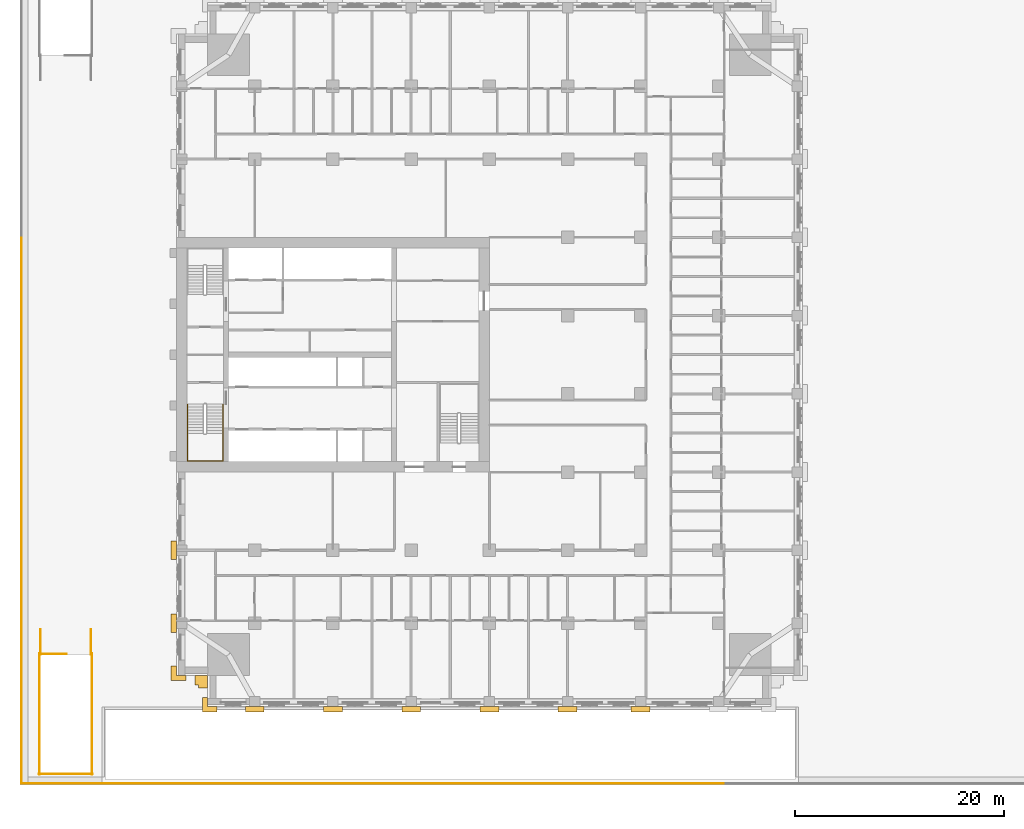
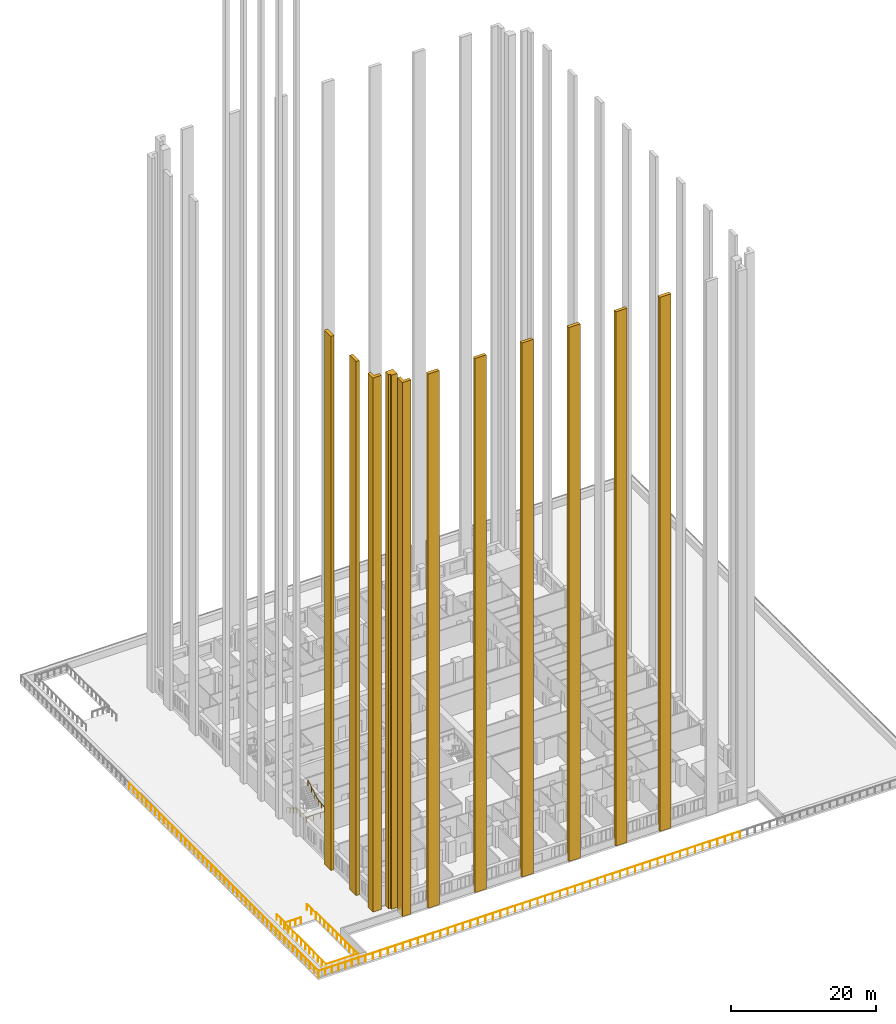
# One storey, part 24 of 27: 11 coverings, 11 railings.
"""IFC4 building model written with IfcOpenShell, lengths in metres."""

from ifc_helpers import new_model, si_unit, direction, frame, origin, origin_2d, place, context, subcontext, project, spatial, polyline, circle, outline, extrude, material, layer, layer_set, type_object, element, save


model = new_model("IFC4")

# Units and contexts
model_context = context("Model", 3, precision=1e-05, world=origin(), true_north=direction((0.0, 1.0)))
body_context = subcontext(model_context, "Body", "Model", "MODEL_VIEW")
ifc_project = project(units=[si_unit("LENGTHUNIT", "METRE"), si_unit("AREAUNIT", "SQUARE_METRE"), si_unit("VOLUMEUNIT", "CUBIC_METRE"), si_unit("PLANEANGLEUNIT", "RADIAN"), si_unit("MASSUNIT", "GRAM", prefix="KILO")], contexts=[model_context])

# Site, building, storey
site_placement = place(None, origin())
site = spatial("IfcSite", under=ifc_project, at=site_placement, CompositionType="ELEMENT")
building_placement = place(site_placement, origin())
building = spatial("IfcBuilding", under=site, at=building_placement, Name="Tamorin Gate", CompositionType="ELEMENT")
storey_placement = place(building_placement, frame((0.0, 0.0, 34.0)))
storey = spatial("IfcBuildingStorey", under=building, at=storey_placement, Name="L06", CompositionType="ELEMENT", Elevation=34.0)

# Coverings
ifc_material_1 = material(Name="Precast concrete C40/50", Category="concrete")
ifc_layer_1 = layer(ifc_material_1, 0.5)
ifc_layer_set_1 = layer_set([ifc_layer_1], Name="Corner pier cladding 500")
covering_type_1 = type_object("IfcCoveringType", Name="Corner pier cladding 500", PredefinedType="CLADDING", material=ifc_layer_set_1)
covering_1_placement = place(storey_placement, origin())
element("IfcCovering", 1, at=covering_1_placement, inside=storey, type_object=covering_type_1, Name="Corner pier", PredefinedType="CLADDING", context=body_context, shape_type="SweptSolid", body=[
    extrude(outline(polyline([(32.5, 37.0), (32.5, 38.39990234375), (33.0, 38.39990234375), (33.0, 37.5), (33.89990234375, 37.5), (33.89990234375, 37.0), (32.5, 37.0)])), origin(), (0.0, 0.0, 1.0), 90.199951171875),
])
covering_2_placement = place(storey_placement, origin())
element("IfcCovering", 2, at=covering_2_placement, inside=storey, type_object=covering_type_1, Name="Corner pier", PredefinedType="CLADDING", context=body_context, shape_type="SweptSolid", body=[
    extrude(outline(polyline([(29.5, 40.0), (29.5, 41.39990234375), (30.0, 41.39990234375), (30.0, 40.5), (30.89990234375, 40.5), (30.89990234375, 40.0), (29.5, 40.0)])), origin(), (0.0, 0.0, 1.0), 90.199951171875),
])
ifc_layer_2 = layer(ifc_material_1, 0.89990234375)
ifc_layer_set_2 = layer_set([ifc_layer_2], Name="Corner pier cladding 900")
covering_type_2 = type_object("IfcCoveringType", Name="Corner pier cladding 900", PredefinedType="CLADDING", material=ifc_layer_set_2)
covering_3_placement = place(storey_placement, origin())
element("IfcCovering", 3, at=covering_3_placement, inside=storey, type_object=covering_type_2, Name="Corner pier", PredefinedType="CLADDING", context=body_context, shape_type="SweptSolid", body=[
    extrude(outline(polyline([(31.800048828125, 39.60009765625), (31.800048828125, 40.5), (33.0, 40.5), (33.0, 39.300048828125), (32.10009765625, 39.300048828125), (32.10009765625, 39.60009765625), (31.800048828125, 39.60009765625)])), origin(), (0.0, 0.0, 1.0), 90.199951171875),
])

# Railings
ifc_material_2 = material(Name="Steel", Category="steel")
railing_type_1 = type_object("IfcRailingType", Name="Podium guard 1100", PredefinedType="GUARDRAIL", material=ifc_material_2)
railing_1_placement = place(storey_placement, frame((16.925048828125, 42.550048828125, 0.0)))
element("IfcRailing", 4, at=railing_1_placement, inside=storey, type_object=railing_type_1, Name="L06 PS1 top well guard 1", PredefinedType="GUARDRAIL", context=body_context, shape_type="SweptSolid", body=[
    extrude(circle(Radius=0.02392578125, at=origin_2d()), frame((0.0, 0.0, 1.076171875), z_axis=(1.0, 0.0, 0.0), x_axis=(0.0, 1.0, 0.0)), (0.0, 0.0, 1.0), 2.550048828125),
    extrude(circle(Radius=0.02099609375, at=origin_2d()), origin(), (0.0, 0.0, 1.0), 1.052001953125),
    extrude(circle(Radius=0.02099609375, at=origin_2d()), frame((0.85009765625, 0.0, 0.0)), (0.0, 0.0, 1.0), 1.052001953125),
    extrude(circle(Radius=0.02099609375, at=origin_2d()), frame((1.699951171875, 0.0, 0.0)), (0.0, 0.0, 1.0), 1.052001953125),
    extrude(circle(Radius=0.02099609375, at=origin_2d()), frame((2.550048828125, 0.0, 0.0)), (0.0, 0.0, 1.0), 1.052001953125),
])
for number, where, name in (
    (5, (16.875, 42.60009765625, 0.0), "L06 PS1 top well guard 2"),
    (6, (21.925048828125, 42.60009765625, 0.0), "L06 PS1 top well guard 3"),
):
    element("IfcRailing", number, at=place(storey_placement, frame(where)), inside=storey, type_object=railing_type_1, Name=name, PredefinedType="GUARDRAIL", context=body_context, shape_type="SweptSolid", body=[
        extrude(circle(Radius=0.02392578125, at=origin_2d()), frame((0.0, 0.0, 1.076171875), z_axis=(0.0, -1.0, 0.0), x_axis=(1.0, 0.0, 0.0)), (0.0, 0.0, 1.0), 11.60009765625),
        extrude(circle(Radius=0.02099609375, at=origin_2d()), origin(), (0.0, 0.0, 1.0), 1.052001953125),
        extrude(circle(Radius=0.02099609375, at=origin_2d()), frame((0.0, -1.159912109375, 0.0)), (0.0, 0.0, 1.0), 1.052001953125),
        extrude(circle(Radius=0.02099609375, at=origin_2d()), frame((0.0, -2.320068359375, 0.0)), (0.0, 0.0, 1.0), 1.052001953125),
        extrude(circle(Radius=0.02099609375, at=origin_2d()), frame((0.0, -3.47998046875, 0.0)), (0.0, 0.0, 1.0), 1.052001953125),
        extrude(circle(Radius=0.02099609375, at=origin_2d()), frame((0.0, -4.64013671875, 0.0)), (0.0, 0.0, 1.0), 1.052001953125),
        extrude(circle(Radius=0.02099609375, at=origin_2d()), frame((0.0, -5.800048828125, 0.0)), (0.0, 0.0, 1.0), 1.052001953125),
        extrude(circle(Radius=0.02099609375, at=origin_2d()), frame((0.0, -6.9599609375, 0.0)), (0.0, 0.0, 1.0), 1.052001953125),
        extrude(circle(Radius=0.02099609375, at=origin_2d()), frame((0.0, -8.1201171875, 0.0)), (0.0, 0.0, 1.0), 1.052001953125),
        extrude(circle(Radius=0.02099609375, at=origin_2d()), frame((0.0, -9.280029296875, 0.0)), (0.0, 0.0, 1.0), 1.052001953125),
        extrude(circle(Radius=0.02099609375, at=origin_2d()), frame((0.0, -10.440185546875, 0.0)), (0.0, 0.0, 1.0), 1.052001953125),
        extrude(circle(Radius=0.02099609375, at=origin_2d()), frame((0.0, -11.60009765625, 0.0)), (0.0, 0.0, 1.0), 1.052001953125),
    ])
railing_2_placement = place(storey_placement, frame((16.824951171875, 31.050048828125, 0.0)))
element("IfcRailing", 7, at=railing_2_placement, inside=storey, type_object=railing_type_1, Name="L06 PS1 top well guard 4", PredefinedType="GUARDRAIL", context=body_context, shape_type="SweptSolid", body=[
    extrude(circle(Radius=0.02392578125, at=origin_2d()), frame((0.0, 0.0, 1.076171875), z_axis=(1.0, 0.0, 0.0), x_axis=(0.0, 1.0, 0.0)), (0.0, 0.0, 1.0), 5.150146484375),
    extrude(circle(Radius=0.02099609375, at=origin_2d()), origin(), (0.0, 0.0, 1.0), 1.052001953125),
    extrude(circle(Radius=0.02099609375, at=origin_2d()), frame((1.030029296875, 0.0, 0.0)), (0.0, 0.0, 1.0), 1.052001953125),
    extrude(circle(Radius=0.02099609375, at=origin_2d()), frame((2.06005859375, 0.0, 0.0)), (0.0, 0.0, 1.0), 1.052001953125),
    extrude(circle(Radius=0.02099609375, at=origin_2d()), frame((3.090087890625, 0.0, 0.0)), (0.0, 0.0, 1.0), 1.052001953125),
    extrude(circle(Radius=0.02099609375, at=origin_2d()), frame((4.1201171875, 0.0, 0.0)), (0.0, 0.0, 1.0), 1.052001953125),
    extrude(circle(Radius=0.02099609375, at=origin_2d()), frame((5.150146484375, 0.0, 0.0)), (0.0, 0.0, 1.0), 1.052001953125),
])
for number, where, name in (
    (8, (16.97509765625, 44.89990234375, 0.0), "L06 PS1 top well guard 5"),
    (9, (21.824951171875, 44.89990234375, 0.0), "L06 PS1 top well guard 6"),
):
    element("IfcRailing", number, at=place(storey_placement, frame(where)), inside=storey, type_object=railing_type_1, Name=name, PredefinedType="GUARDRAIL", context=body_context, shape_type="SweptSolid", body=[
        extrude(circle(Radius=0.02392578125, at=origin_2d()), frame((0.0, 0.0, 1.076171875), z_axis=(0.0, -1.0, 0.0), x_axis=(1.0, 0.0, 0.0)), (0.0, 0.0, 1.0), 2.39990234375),
        extrude(circle(Radius=0.02099609375, at=origin_2d()), origin(), (0.0, 0.0, 1.0), 1.052001953125),
        extrude(circle(Radius=0.02099609375, at=origin_2d()), frame((0.0, -1.199951171875, 0.0)), (0.0, 0.0, 1.0), 1.052001953125),
        extrude(circle(Radius=0.02099609375, at=origin_2d()), frame((0.0, -2.39990234375, 0.0)), (0.0, 0.0, 1.0), 1.052001953125),
    ])

# Coverings
ifc_layer_3 = layer(ifc_material_1, 0.5)
ifc_layer_set_3 = layer_set([ifc_layer_3], Name="Precast concrete C40/50")
covering_type_3 = type_object("IfcCoveringType", Name="Precast pier 1800x500", PredefinedType="CLADDING", material=ifc_layer_set_3)
covering_4_placement = place(storey_placement, origin())
element("IfcCovering", 10, at=covering_4_placement, inside=storey, type_object=covering_type_3, Name="Precast pier", PredefinedType="CLADDING", context=body_context, shape_type="SweptSolid", body=[
    extrude(outline(polyline([(30.0, 46.39990234375), (30.0, 44.60009765625), (29.5, 44.60009765625), (29.5, 46.39990234375), (30.0, 46.39990234375)])), origin(), (0.0, 0.0, 1.0), 90.199951171875),
])
covering_5_placement = place(storey_placement, origin())
element("IfcCovering", 11, at=covering_5_placement, inside=storey, type_object=covering_type_3, Name="Precast pier", PredefinedType="CLADDING", context=body_context, shape_type="SweptSolid", body=[
    extrude(outline(polyline([(30.0, 53.39990234375), (30.0, 51.60009765625), (29.5, 51.60009765625), (29.5, 53.39990234375), (30.0, 53.39990234375)])), origin(), (0.0, 0.0, 1.0), 90.199951171875),
])
covering_6_placement = place(storey_placement, origin())
element("IfcCovering", 12, at=covering_6_placement, inside=storey, type_object=covering_type_3, Name="Precast pier", PredefinedType="CLADDING", context=body_context, shape_type="SweptSolid", body=[
    extrude(outline(polyline([(36.60009765625, 37.5), (38.39990234375, 37.5), (38.39990234375, 37.0), (36.60009765625, 37.0), (36.60009765625, 37.5)])), origin(), (0.0, 0.0, 1.0), 90.199951171875),
])
covering_7_placement = place(storey_placement, origin())
element("IfcCovering", 13, at=covering_7_placement, inside=storey, type_object=covering_type_3, Name="Precast pier", PredefinedType="CLADDING", context=body_context, shape_type="SweptSolid", body=[
    extrude(outline(polyline([(44.10009765625, 37.5), (45.89990234375, 37.5), (45.89990234375, 37.0), (44.10009765625, 37.0), (44.10009765625, 37.5)])), origin(), (0.0, 0.0, 1.0), 90.199951171875),
])
covering_8_placement = place(storey_placement, origin())
element("IfcCovering", 14, at=covering_8_placement, inside=storey, type_object=covering_type_3, Name="Precast pier", PredefinedType="CLADDING", context=body_context, shape_type="SweptSolid", body=[
    extrude(outline(polyline([(51.60009765625, 37.5), (53.39990234375, 37.5), (53.39990234375, 37.0), (51.60009765625, 37.0), (51.60009765625, 37.5)])), origin(), (0.0, 0.0, 1.0), 90.199951171875),
])
covering_9_placement = place(storey_placement, origin())
element("IfcCovering", 15, at=covering_9_placement, inside=storey, type_object=covering_type_3, Name="Precast pier", PredefinedType="CLADDING", context=body_context, shape_type="SweptSolid", body=[
    extrude(outline(polyline([(59.10009765625, 37.5), (60.89990234375, 37.5), (60.89990234375, 37.0), (59.10009765625, 37.0), (59.10009765625, 37.5)])), origin(), (0.0, 0.0, 1.0), 90.199951171875),
])
covering_10_placement = place(storey_placement, origin())
element("IfcCovering", 16, at=covering_10_placement, inside=storey, type_object=covering_type_3, Name="Precast pier", PredefinedType="CLADDING", context=body_context, shape_type="SweptSolid", body=[
    extrude(outline(polyline([(66.60009765625, 37.5), (68.39990234375, 37.5), (68.39990234375, 37.0), (66.60009765625, 37.0), (66.60009765625, 37.5)])), origin(), (0.0, 0.0, 1.0), 90.199951171875),
])
covering_11_placement = place(storey_placement, origin())
element("IfcCovering", 17, at=covering_11_placement, inside=storey, type_object=covering_type_3, Name="Precast pier", PredefinedType="CLADDING", context=body_context, shape_type="SweptSolid", body=[
    extrude(outline(polyline([(73.60009765625, 37.5), (75.39990234375, 37.5), (75.39990234375, 37.0), (73.60009765625, 37.0), (73.60009765625, 37.5)])), origin(), (0.0, 0.0, 1.0), 90.199951171875),
])

# Railings
ifc_material_3 = material(Name="Painted steel handrail", Category="steel")
railing_type_2 = type_object("IfcRailingType", Name="Stair handrail 900", PredefinedType="HANDRAIL", material=ifc_material_3)
railing_3_placement = place(storey_placement, frame((31.050048828125, 66.5, 0.16357421875)))
element("IfcRailing", 18, at=railing_3_placement, inside=storey, type_object=railing_type_2, Name="L06 ST1 stair handrail 1", PredefinedType="HANDRAIL", context=body_context, shape_type="SweptSolid", body=[
    extrude(circle(Radius=0.02392578125, at=origin_2d()), frame((0.0, 0.0, 0.8759765625), z_axis=(0.0, -0.863360870873, 0.504586966384), x_axis=(1.0, 0.0, 0.0)), (0.0, 0.0, 1.0), 3.2431640625),
    extrude(circle(Radius=0.02392578125, at=origin_2d()), frame((0.0, -2.800048828125, 2.51220703125), z_axis=(0.0, -1.0, 0.0), x_axis=(1.0, 0.0, 0.0)), (0.0, 0.0, 1.0), 2.64990234375),
    extrude(circle(Radius=0.02392578125, at=origin_2d()), frame((0.0, -5.449951171875, 2.51220703125), z_axis=(1.0, 0.0, 0.0), x_axis=(0.0, 1.0, 0.0)), (0.0, 0.0, 1.0), 3.39990234375),
    extrude(circle(Radius=0.02392578125, at=origin_2d()), frame((3.39990234375, -5.449951171875, 2.51220703125), z_axis=(0.0, 0.998100230056, 0.061611125312), x_axis=(-1.0, 0.0, 0.0)), (0.0, 0.0, 1.0), 2.655029296875),
    extrude(circle(Radius=0.02392578125, at=origin_2d()), frame((3.39990234375, -2.800048828125, 2.67578125), z_axis=(0.0, 0.863360870873, 0.504586966384), x_axis=(-1.0, 0.0, 0.0)), (0.0, 0.0, 1.0), 3.2431640625),
    extrude(circle(Radius=0.02099609375, at=origin_2d()), origin(), (0.0, 0.0, 1.0), 0.851806640625),
    extrude(circle(Radius=0.02099609375, at=origin_2d()), frame((0.0, -0.933349609375, 0.54541015625)), (0.0, 0.0, 1.0), 0.851806640625),
    extrude(circle(Radius=0.02099609375, at=origin_2d()), frame((0.0, -1.86669921875, 1.091064453125)), (0.0, 0.0, 1.0), 0.851806640625),
    extrude(circle(Radius=0.02099609375, at=origin_2d()), frame((0.0, -2.800048828125, 1.636474609375)), (0.0, 0.0, 1.0), 0.851806640625),
    extrude(circle(Radius=0.02099609375, at=origin_2d()), frame((0.0, -3.683349609375, 1.636474609375)), (0.0, 0.0, 1.0), 0.851806640625),
    extrude(circle(Radius=0.02099609375, at=origin_2d()), frame((0.0, -4.566650390625, 1.636474609375)), (0.0, 0.0, 1.0), 0.851806640625),
    extrude(circle(Radius=0.02099609375, at=origin_2d()), frame((0.0, -5.449951171875, 1.636474609375)), (0.0, 0.0, 1.0), 0.851806640625),
    extrude(circle(Radius=0.02099609375, at=origin_2d()), frame((1.13330078125, -5.449951171875, 1.636474609375)), (0.0, 0.0, 1.0), 0.851806640625),
    extrude(circle(Radius=0.02099609375, at=origin_2d()), frame((2.2666015625, -5.449951171875, 1.636474609375)), (0.0, 0.0, 1.0), 0.851806640625),
    extrude(circle(Radius=0.02099609375, at=origin_2d()), frame((3.39990234375, -5.449951171875, 1.636474609375)), (0.0, 0.0, 1.0), 0.851806640625),
    extrude(circle(Radius=0.02099609375, at=origin_2d()), frame((3.39990234375, -4.566650390625, 1.69091796875)), (0.0, 0.0, 1.0), 0.851806640625),
    extrude(circle(Radius=0.02099609375, at=origin_2d()), frame((3.39990234375, -3.683349609375, 1.74560546875)), (0.0, 0.0, 1.0), 0.851806640625),
    extrude(circle(Radius=0.02099609375, at=origin_2d()), frame((3.39990234375, -2.800048828125, 1.800048828125)), (0.0, 0.0, 1.0), 0.851806640625),
    extrude(circle(Radius=0.02099609375, at=origin_2d()), frame((3.39990234375, -1.86669921875, 2.345458984375)), (0.0, 0.0, 1.0), 0.851806640625),
    extrude(circle(Radius=0.02099609375, at=origin_2d()), frame((3.39990234375, -0.933349609375, 2.89111328125)), (0.0, 0.0, 1.0), 0.851806640625),
    extrude(circle(Radius=0.02099609375, at=origin_2d()), frame((3.39990234375, 0.0, 3.4365234375)), (0.0, 0.0, 1.0), 0.851806640625),
])
ifc_material_4 = material(Name="Stainless steel", Category="steel")
railing_type_3 = type_object("IfcRailingType", Name="Terrace guard 1150", PredefinedType="GUARDRAIL", material=ifc_material_4)
railing_4_placement = place(storey_placement, frame((82.4599609375, 30.1201171875, 0.0)))
element("IfcRailing", 19, at=railing_4_placement, inside=storey, type_object=railing_type_3, Name="Terrace guard", PredefinedType="GUARDRAIL", context=body_context, shape_type="SweptSolid", body=[
    extrude(circle(Radius=0.02392578125, at=origin_2d()), frame((0.0, 0.0, 1.1259765625), z_axis=(-1.0, 0.0, 0.0), x_axis=(0.0, -1.0, 0.0)), (0.0, 0.0, 1.0), 29.919921875),
    extrude(circle(Radius=0.02099609375, at=origin_2d()), origin(), (0.0, 0.0, 1.0), 1.101806640625),
    extrude(circle(Radius=0.02099609375, at=origin_2d()), frame((-1.19677734375, 0.0, 0.0)), (0.0, 0.0, 1.0), 1.101806640625),
    extrude(circle(Radius=0.02099609375, at=origin_2d()), frame((-2.3935546875, 0.0, 0.0)), (0.0, 0.0, 1.0), 1.101806640625),
    extrude(circle(Radius=0.02099609375, at=origin_2d()), frame((-3.59033203125, 0.0, 0.0)), (0.0, 0.0, 1.0), 1.101806640625),
    extrude(circle(Radius=0.02099609375, at=origin_2d()), frame((-4.787109375, 0.0, 0.0)), (0.0, 0.0, 1.0), 1.101806640625),
    extrude(circle(Radius=0.02099609375, at=origin_2d()), frame((-5.98388671875, 0.0, 0.0)), (0.0, 0.0, 1.0), 1.101806640625),
    extrude(circle(Radius=0.02099609375, at=origin_2d()), frame((-7.1806640625, 0.0, 0.0)), (0.0, 0.0, 1.0), 1.101806640625),
    extrude(circle(Radius=0.02099609375, at=origin_2d()), frame((-8.377685546875, 0.0, 0.0)), (0.0, 0.0, 1.0), 1.101806640625),
    extrude(circle(Radius=0.02099609375, at=origin_2d()), frame((-9.574462890625, 0.0, 0.0)), (0.0, 0.0, 1.0), 1.101806640625),
    extrude(circle(Radius=0.02099609375, at=origin_2d()), frame((-10.771240234375, 0.0, 0.0)), (0.0, 0.0, 1.0), 1.101806640625),
    extrude(circle(Radius=0.02099609375, at=origin_2d()), frame((-11.968017578125, 0.0, 0.0)), (0.0, 0.0, 1.0), 1.101806640625),
    extrude(circle(Radius=0.02099609375, at=origin_2d()), frame((-13.164794921875, 0.0, 0.0)), (0.0, 0.0, 1.0), 1.101806640625),
    extrude(circle(Radius=0.02099609375, at=origin_2d()), frame((-14.361572265625, 0.0, 0.0)), (0.0, 0.0, 1.0), 1.101806640625),
    extrude(circle(Radius=0.02099609375, at=origin_2d()), frame((-15.558349609375, 0.0, 0.0)), (0.0, 0.0, 1.0), 1.101806640625),
    extrude(circle(Radius=0.02099609375, at=origin_2d()), frame((-16.755126953125, 0.0, 0.0)), (0.0, 0.0, 1.0), 1.101806640625),
    extrude(circle(Radius=0.02099609375, at=origin_2d()), frame((-17.951904296875, 0.0, 0.0)), (0.0, 0.0, 1.0), 1.101806640625),
    extrude(circle(Radius=0.02099609375, at=origin_2d()), frame((-19.148681640625, 0.0, 0.0)), (0.0, 0.0, 1.0), 1.101806640625),
    extrude(circle(Radius=0.02099609375, at=origin_2d()), frame((-20.345458984375, 0.0, 0.0)), (0.0, 0.0, 1.0), 1.101806640625),
    extrude(circle(Radius=0.02099609375, at=origin_2d()), frame((-21.542236328125, 0.0, 0.0)), (0.0, 0.0, 1.0), 1.101806640625),
    extrude(circle(Radius=0.02099609375, at=origin_2d()), frame((-22.7392578125, 0.0, 0.0)), (0.0, 0.0, 1.0), 1.101806640625),
    extrude(circle(Radius=0.02099609375, at=origin_2d()), frame((-23.93603515625, 0.0, 0.0)), (0.0, 0.0, 1.0), 1.101806640625),
    extrude(circle(Radius=0.02099609375, at=origin_2d()), frame((-25.1328125, 0.0, 0.0)), (0.0, 0.0, 1.0), 1.101806640625),
    extrude(circle(Radius=0.02099609375, at=origin_2d()), frame((-26.32958984375, 0.0, 0.0)), (0.0, 0.0, 1.0), 1.101806640625),
    extrude(circle(Radius=0.02099609375, at=origin_2d()), frame((-27.5263671875, 0.0, 0.0)), (0.0, 0.0, 1.0), 1.101806640625),
    extrude(circle(Radius=0.02099609375, at=origin_2d()), frame((-28.72314453125, 0.0, 0.0)), (0.0, 0.0, 1.0), 1.101806640625),
    extrude(circle(Radius=0.02099609375, at=origin_2d()), frame((-29.919921875, 0.0, 0.0)), (0.0, 0.0, 1.0), 1.101806640625),
])
railing_5_placement = place(storey_placement, frame((52.5400390625, 30.1201171875, 0.0)))
element("IfcRailing", 20, at=railing_5_placement, inside=storey, type_object=railing_type_3, Name="Terrace guard", PredefinedType="GUARDRAIL", context=body_context, shape_type="SweptSolid", body=[
    extrude(circle(Radius=0.02392578125, at=origin_2d()), frame((0.0, 0.0, 1.1259765625), z_axis=(-1.0, 0.0, 0.0), x_axis=(0.0, -1.0, 0.0)), (0.0, 0.0, 1.0), 29.919921875),
    extrude(circle(Radius=0.02099609375, at=origin_2d()), origin(), (0.0, 0.0, 1.0), 1.101806640625),
    extrude(circle(Radius=0.02099609375, at=origin_2d()), frame((-1.19677734375, 0.0, 0.0)), (0.0, 0.0, 1.0), 1.101806640625),
    extrude(circle(Radius=0.02099609375, at=origin_2d()), frame((-2.3935546875, 0.0, 0.0)), (0.0, 0.0, 1.0), 1.101806640625),
    extrude(circle(Radius=0.02099609375, at=origin_2d()), frame((-3.59033203125, 0.0, 0.0)), (0.0, 0.0, 1.0), 1.101806640625),
    extrude(circle(Radius=0.02099609375, at=origin_2d()), frame((-4.787109375, 0.0, 0.0)), (0.0, 0.0, 1.0), 1.101806640625),
    extrude(circle(Radius=0.02099609375, at=origin_2d()), frame((-5.98388671875, 0.0, 0.0)), (0.0, 0.0, 1.0), 1.101806640625),
    extrude(circle(Radius=0.02099609375, at=origin_2d()), frame((-7.1806640625, 0.0, 0.0)), (0.0, 0.0, 1.0), 1.101806640625),
    extrude(circle(Radius=0.02099609375, at=origin_2d()), frame((-8.377685546875, 0.0, 0.0)), (0.0, 0.0, 1.0), 1.101806640625),
    extrude(circle(Radius=0.02099609375, at=origin_2d()), frame((-9.574462890625, 0.0, 0.0)), (0.0, 0.0, 1.0), 1.101806640625),
    extrude(circle(Radius=0.02099609375, at=origin_2d()), frame((-10.771240234375, 0.0, 0.0)), (0.0, 0.0, 1.0), 1.101806640625),
    extrude(circle(Radius=0.02099609375, at=origin_2d()), frame((-11.968017578125, 0.0, 0.0)), (0.0, 0.0, 1.0), 1.101806640625),
    extrude(circle(Radius=0.02099609375, at=origin_2d()), frame((-13.164794921875, 0.0, 0.0)), (0.0, 0.0, 1.0), 1.101806640625),
    extrude(circle(Radius=0.02099609375, at=origin_2d()), frame((-14.361572265625, 0.0, 0.0)), (0.0, 0.0, 1.0), 1.101806640625),
    extrude(circle(Radius=0.02099609375, at=origin_2d()), frame((-15.558349609375, 0.0, 0.0)), (0.0, 0.0, 1.0), 1.101806640625),
    extrude(circle(Radius=0.02099609375, at=origin_2d()), frame((-16.755126953125, 0.0, 0.0)), (0.0, 0.0, 1.0), 1.101806640625),
    extrude(circle(Radius=0.02099609375, at=origin_2d()), frame((-17.951904296875, 0.0, 0.0)), (0.0, 0.0, 1.0), 1.101806640625),
    extrude(circle(Radius=0.02099609375, at=origin_2d()), frame((-19.148681640625, 0.0, 0.0)), (0.0, 0.0, 1.0), 1.101806640625),
    extrude(circle(Radius=0.02099609375, at=origin_2d()), frame((-20.345458984375, 0.0, 0.0)), (0.0, 0.0, 1.0), 1.101806640625),
    extrude(circle(Radius=0.02099609375, at=origin_2d()), frame((-21.542236328125, 0.0, 0.0)), (0.0, 0.0, 1.0), 1.101806640625),
    extrude(circle(Radius=0.02099609375, at=origin_2d()), frame((-22.7392578125, 0.0, 0.0)), (0.0, 0.0, 1.0), 1.101806640625),
    extrude(circle(Radius=0.02099609375, at=origin_2d()), frame((-23.93603515625, 0.0, 0.0)), (0.0, 0.0, 1.0), 1.101806640625),
    extrude(circle(Radius=0.02099609375, at=origin_2d()), frame((-25.1328125, 0.0, 0.0)), (0.0, 0.0, 1.0), 1.101806640625),
    extrude(circle(Radius=0.02099609375, at=origin_2d()), frame((-26.32958984375, 0.0, 0.0)), (0.0, 0.0, 1.0), 1.101806640625),
    extrude(circle(Radius=0.02099609375, at=origin_2d()), frame((-27.5263671875, 0.0, 0.0)), (0.0, 0.0, 1.0), 1.101806640625),
    extrude(circle(Radius=0.02099609375, at=origin_2d()), frame((-28.72314453125, 0.0, 0.0)), (0.0, 0.0, 1.0), 1.101806640625),
    extrude(circle(Radius=0.02099609375, at=origin_2d()), frame((-29.919921875, 0.0, 0.0)), (0.0, 0.0, 1.0), 1.101806640625),
])
railing_6_placement = place(storey_placement, frame((22.6201171875, 30.1201171875, 0.0)))
element("IfcRailing", 21, at=railing_6_placement, inside=storey, type_object=railing_type_3, Name="Terrace guard", PredefinedType="GUARDRAIL", context=body_context, shape_type="SweptSolid", body=[
    extrude(circle(Radius=0.02392578125, at=origin_2d()), frame((0.0, 0.0, 1.1259765625), z_axis=(-1.0, 0.0, 0.0), x_axis=(0.0, -1.0, 0.0)), (0.0, 0.0, 1.0), 7.5),
    extrude(circle(Radius=0.02392578125, at=origin_2d()), frame((-7.5, 0.0, 1.1259765625), z_axis=(0.0, 1.0, 0.0), x_axis=(-1.0, 0.0, 0.0)), (0.0, 0.0, 1.0), 22.419921875),
    extrude(circle(Radius=0.02099609375, at=origin_2d()), origin(), (0.0, 0.0, 1.0), 1.101806640625),
    extrude(circle(Radius=0.02099609375, at=origin_2d()), frame((-1.071533203125, 0.0, 0.0)), (0.0, 0.0, 1.0), 1.101806640625),
    extrude(circle(Radius=0.02099609375, at=origin_2d()), frame((-2.142822265625, 0.0, 0.0)), (0.0, 0.0, 1.0), 1.101806640625),
    extrude(circle(Radius=0.02099609375, at=origin_2d()), frame((-3.21435546875, 0.0, 0.0)), (0.0, 0.0, 1.0), 1.101806640625),
    extrude(circle(Radius=0.02099609375, at=origin_2d()), frame((-4.28564453125, 0.0, 0.0)), (0.0, 0.0, 1.0), 1.101806640625),
    extrude(circle(Radius=0.02099609375, at=origin_2d()), frame((-5.357177734375, 0.0, 0.0)), (0.0, 0.0, 1.0), 1.101806640625),
    extrude(circle(Radius=0.02099609375, at=origin_2d()), frame((-6.428466796875, 0.0, 0.0)), (0.0, 0.0, 1.0), 1.101806640625),
    extrude(circle(Radius=0.02099609375, at=origin_2d()), frame((-7.5, 0.0, 0.0)), (0.0, 0.0, 1.0), 1.101806640625),
    extrude(circle(Radius=0.02099609375, at=origin_2d()), frame((-7.5, 1.179931640625, 0.0)), (0.0, 0.0, 1.0), 1.101806640625),
    extrude(circle(Radius=0.02099609375, at=origin_2d()), frame((-7.5, 2.360107421875, 0.0)), (0.0, 0.0, 1.0), 1.101806640625),
    extrude(circle(Radius=0.02099609375, at=origin_2d()), frame((-7.5, 3.5400390625, 0.0)), (0.0, 0.0, 1.0), 1.101806640625),
    extrude(circle(Radius=0.02099609375, at=origin_2d()), frame((-7.5, 4.719970703125, 0.0)), (0.0, 0.0, 1.0), 1.101806640625),
    extrude(circle(Radius=0.02099609375, at=origin_2d()), frame((-7.5, 5.89990234375, 0.0)), (0.0, 0.0, 1.0), 1.101806640625),
    extrude(circle(Radius=0.02099609375, at=origin_2d()), frame((-7.5, 7.080078125, 0.0)), (0.0, 0.0, 1.0), 1.101806640625),
    extrude(circle(Radius=0.02099609375, at=origin_2d()), frame((-7.5, 8.260009765625, 0.0)), (0.0, 0.0, 1.0), 1.101806640625),
    extrude(circle(Radius=0.02099609375, at=origin_2d()), frame((-7.5, 9.43994140625, 0.0)), (0.0, 0.0, 1.0), 1.101806640625),
    extrude(circle(Radius=0.02099609375, at=origin_2d()), frame((-7.5, 10.619873046875, 0.0)), (0.0, 0.0, 1.0), 1.101806640625),
    extrude(circle(Radius=0.02099609375, at=origin_2d()), frame((-7.5, 11.800048828125, 0.0)), (0.0, 0.0, 1.0), 1.101806640625),
    extrude(circle(Radius=0.02099609375, at=origin_2d()), frame((-7.5, 12.97998046875, 0.0)), (0.0, 0.0, 1.0), 1.101806640625),
    extrude(circle(Radius=0.02099609375, at=origin_2d()), frame((-7.5, 14.159912109375, 0.0)), (0.0, 0.0, 1.0), 1.101806640625),
    extrude(circle(Radius=0.02099609375, at=origin_2d()), frame((-7.5, 15.33984375, 0.0)), (0.0, 0.0, 1.0), 1.101806640625),
    extrude(circle(Radius=0.02099609375, at=origin_2d()), frame((-7.5, 16.52001953125, 0.0)), (0.0, 0.0, 1.0), 1.101806640625),
    extrude(circle(Radius=0.02099609375, at=origin_2d()), frame((-7.5, 17.699951171875, 0.0)), (0.0, 0.0, 1.0), 1.101806640625),
    extrude(circle(Radius=0.02099609375, at=origin_2d()), frame((-7.5, 18.8798828125, 0.0)), (0.0, 0.0, 1.0), 1.101806640625),
    extrude(circle(Radius=0.02099609375, at=origin_2d()), frame((-7.5, 20.059814453125, 0.0)), (0.0, 0.0, 1.0), 1.101806640625),
    extrude(circle(Radius=0.02099609375, at=origin_2d()), frame((-7.5, 21.239990234375, 0.0)), (0.0, 0.0, 1.0), 1.101806640625),
    extrude(circle(Radius=0.02099609375, at=origin_2d()), frame((-7.5, 22.419921875, 0.0)), (0.0, 0.0, 1.0), 1.101806640625),
])
railing_7_placement = place(storey_placement, frame((15.1201171875, 52.5400390625, 0.0)))
element("IfcRailing", 22, at=railing_7_placement, inside=storey, type_object=railing_type_3, Name="Terrace guard", PredefinedType="GUARDRAIL", context=body_context, shape_type="SweptSolid", body=[
    extrude(circle(Radius=0.02392578125, at=origin_2d()), frame((0.0, 0.0, 1.1259765625), z_axis=(0.0, 1.0, 0.0), x_axis=(-1.0, 0.0, 0.0)), (0.0, 0.0, 1.0), 29.919921875),
    extrude(circle(Radius=0.02099609375, at=origin_2d()), origin(), (0.0, 0.0, 1.0), 1.101806640625),
    extrude(circle(Radius=0.02099609375, at=origin_2d()), frame((0.0, 1.19677734375, 0.0)), (0.0, 0.0, 1.0), 1.101806640625),
    extrude(circle(Radius=0.02099609375, at=origin_2d()), frame((0.0, 2.3935546875, 0.0)), (0.0, 0.0, 1.0), 1.101806640625),
    extrude(circle(Radius=0.02099609375, at=origin_2d()), frame((0.0, 3.59033203125, 0.0)), (0.0, 0.0, 1.0), 1.101806640625),
    extrude(circle(Radius=0.02099609375, at=origin_2d()), frame((0.0, 4.787109375, 0.0)), (0.0, 0.0, 1.0), 1.101806640625),
    extrude(circle(Radius=0.02099609375, at=origin_2d()), frame((0.0, 5.98388671875, 0.0)), (0.0, 0.0, 1.0), 1.101806640625),
    extrude(circle(Radius=0.02099609375, at=origin_2d()), frame((0.0, 7.1806640625, 0.0)), (0.0, 0.0, 1.0), 1.101806640625),
    extrude(circle(Radius=0.02099609375, at=origin_2d()), frame((0.0, 8.377685546875, 0.0)), (0.0, 0.0, 1.0), 1.101806640625),
    extrude(circle(Radius=0.02099609375, at=origin_2d()), frame((0.0, 9.574462890625, 0.0)), (0.0, 0.0, 1.0), 1.101806640625),
    extrude(circle(Radius=0.02099609375, at=origin_2d()), frame((0.0, 10.771240234375, 0.0)), (0.0, 0.0, 1.0), 1.101806640625),
    extrude(circle(Radius=0.02099609375, at=origin_2d()), frame((0.0, 11.968017578125, 0.0)), (0.0, 0.0, 1.0), 1.101806640625),
    extrude(circle(Radius=0.02099609375, at=origin_2d()), frame((0.0, 13.164794921875, 0.0)), (0.0, 0.0, 1.0), 1.101806640625),
    extrude(circle(Radius=0.02099609375, at=origin_2d()), frame((0.0, 14.361572265625, 0.0)), (0.0, 0.0, 1.0), 1.101806640625),
    extrude(circle(Radius=0.02099609375, at=origin_2d()), frame((0.0, 15.558349609375, 0.0)), (0.0, 0.0, 1.0), 1.101806640625),
    extrude(circle(Radius=0.02099609375, at=origin_2d()), frame((0.0, 16.755126953125, 0.0)), (0.0, 0.0, 1.0), 1.101806640625),
    extrude(circle(Radius=0.02099609375, at=origin_2d()), frame((0.0, 17.951904296875, 0.0)), (0.0, 0.0, 1.0), 1.101806640625),
    extrude(circle(Radius=0.02099609375, at=origin_2d()), frame((0.0, 19.148681640625, 0.0)), (0.0, 0.0, 1.0), 1.101806640625),
    extrude(circle(Radius=0.02099609375, at=origin_2d()), frame((0.0, 20.345458984375, 0.0)), (0.0, 0.0, 1.0), 1.101806640625),
    extrude(circle(Radius=0.02099609375, at=origin_2d()), frame((0.0, 21.542236328125, 0.0)), (0.0, 0.0, 1.0), 1.101806640625),
    extrude(circle(Radius=0.02099609375, at=origin_2d()), frame((0.0, 22.7392578125, 0.0)), (0.0, 0.0, 1.0), 1.101806640625),
    extrude(circle(Radius=0.02099609375, at=origin_2d()), frame((0.0, 23.93603515625, 0.0)), (0.0, 0.0, 1.0), 1.101806640625),
    extrude(circle(Radius=0.02099609375, at=origin_2d()), frame((0.0, 25.1328125, 0.0)), (0.0, 0.0, 1.0), 1.101806640625),
    extrude(circle(Radius=0.02099609375, at=origin_2d()), frame((0.0, 26.32958984375, 0.0)), (0.0, 0.0, 1.0), 1.101806640625),
    extrude(circle(Radius=0.02099609375, at=origin_2d()), frame((0.0, 27.5263671875, 0.0)), (0.0, 0.0, 1.0), 1.101806640625),
    extrude(circle(Radius=0.02099609375, at=origin_2d()), frame((0.0, 28.72314453125, 0.0)), (0.0, 0.0, 1.0), 1.101806640625),
    extrude(circle(Radius=0.02099609375, at=origin_2d()), frame((0.0, 29.919921875, 0.0)), (0.0, 0.0, 1.0), 1.101806640625),
])

save(model, "model.ifc")
